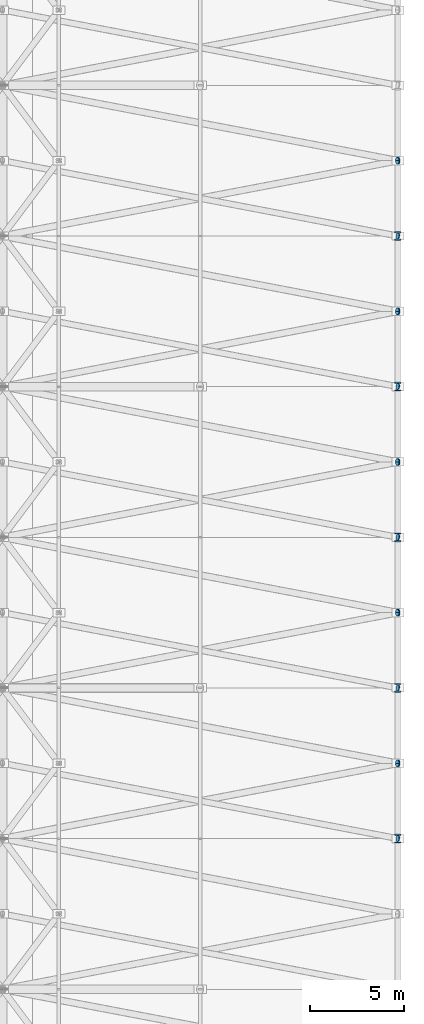
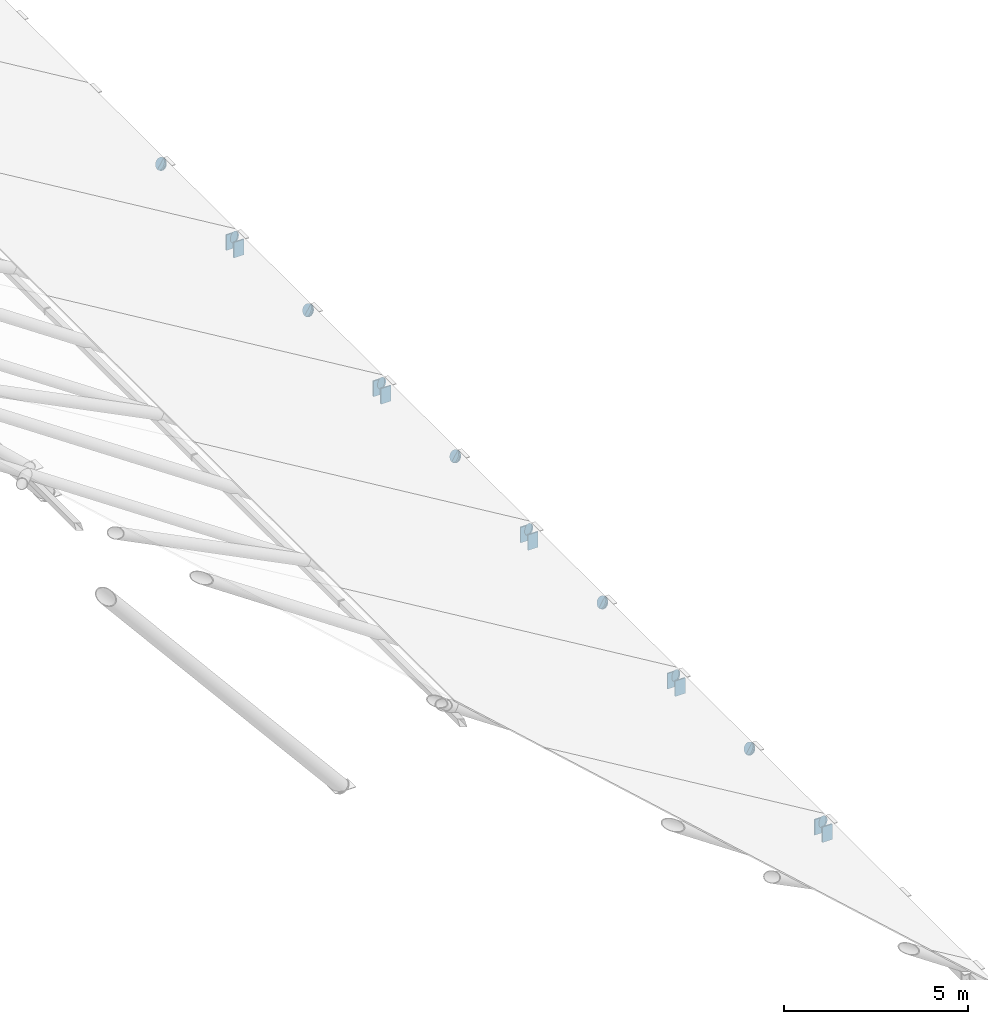
# One storey, part 37 of 44: 25 discrete accessories.
"""IFC4 building model written with IfcOpenShell, lengths in metres."""

import ifcopenshell
import ifcopenshell.guid

model = None  # the IFC model being written
_history = None  # IfcOwnerHistory: only IFC2X3 demands one
_inside = {}  # id of a spatial element -> (the spatial element, [elements in it])
_under = {}  # id of a project, library or spatial element -> (it, [spatial elements below it])
_declared = {}  # id of a project -> (the project, [libraries it declares])
_typed = {}  # id of a type object -> (the type object, [elements of that type])
_made_of = {}  # id of a material, layer set ... -> (it, [elements and type objects made of it])


def new_model(schema):
    """Start an empty IFC model of exactly this schema.

    Asked for "IFC4X3", IfcOpenShell would pick the latest addendum, in which some entities
    have other attributes; the version numbers below select the first issue.
    IFC2X3 requires an IfcOwnerHistory on every rooted entity: one is made here for all.
    """
    global model, _history
    if schema == "IFC4X3":
        model = ifcopenshell.file(schema_version=(4, 3, 0, 0))
    else:
        model = ifcopenshell.file(schema=schema)
    _inside.clear()
    _under.clear()
    _declared.clear()
    _typed.clear()
    _made_of.clear()
    _history = None
    if model.schema == "IFC2X3":
        org = make("IfcOrganization", Name="unknown")
        user = make(
            "IfcPersonAndOrganization",
            ThePerson=make("IfcPerson", FamilyName="unknown"),
            TheOrganization=org,
        )
        app = make(
            "IfcApplication",
            ApplicationDeveloper=org,
            Version="unknown",
            ApplicationFullName="unknown",
            ApplicationIdentifier="unknown",
        )
        _history = make(
            "IfcOwnerHistory",
            OwningUser=user,
            OwningApplication=app,
            ChangeAction="ADDED",
            CreationDate=0,
        )
    return model


def make(cls, **values):
    """One entity of the class cls with the attributes given. An attribute that is None is left unset."""
    return model.create_entity(
        cls, **{name: value for name, value in values.items() if value is not None}
    )


def rooted(cls, **values):
    """An entity with a GlobalId (a new one), such as an element, a storey or a relation."""
    return make(cls, GlobalId=ifcopenshell.guid.new(), OwnerHistory=_history, **values)


def si_unit(unit_type, name, prefix=None):
    """IfcSIUnit, for example si_unit("LENGTHUNIT", "METRE", prefix="MILLI")."""
    return make("IfcSIUnit", UnitType=unit_type, Prefix=prefix, Name=name)


def assignment(units):
    """IfcUnitAssignment: the units of a project."""
    return None if units is None else make("IfcUnitAssignment", Units=units)


def point(xyz):
    """IfcCartesianPoint."""
    return None if xyz is None else make("IfcCartesianPoint", Coordinates=xyz)


def direction(xyz):
    """IfcDirection."""
    return None if xyz is None else make("IfcDirection", DirectionRatios=xyz)


def frame(location, z_axis=None, x_axis=None):
    """IfcAxis2Placement3D, a coordinate frame: its origin and axes. An axis left out is left unset."""
    return make(
        "IfcAxis2Placement3D",
        Location=point(location),
        Axis=direction(z_axis),
        RefDirection=direction(x_axis),
    )


def frame_2d(location, x_axis=None):
    """IfcAxis2Placement2D, a coordinate frame in the plane: its origin and x axis."""
    return make(
        "IfcAxis2Placement2D", Location=point(location), RefDirection=direction(x_axis)
    )


def origin():
    """The frame at (0, 0, 0) with its axes left unset."""
    return frame((0.0, 0.0, 0.0))


def origin_2d():
    """The frame at (0, 0) in the plane with its x axis left unset."""
    return frame_2d((0.0, 0.0))


def place(relative_to, where):
    """IfcLocalPlacement: puts the frame where relative to a parent placement (None: the world)."""
    return make(
        "IfcLocalPlacement", PlacementRelTo=relative_to, RelativePlacement=where
    )


def context(
    kind, dimensions, precision=None, world=None, true_north=None, identifier=None
):
    """IfcGeometricRepresentationContext, for example the 3D "Model" context."""
    return make(
        "IfcGeometricRepresentationContext",
        ContextIdentifier=identifier,
        ContextType=kind,
        CoordinateSpaceDimension=dimensions,
        Precision=precision,
        WorldCoordinateSystem=world,
        TrueNorth=true_north,
    )


def subcontext(parent, identifier, kind, view, scale=None):
    """IfcGeometricRepresentationSubContext, for example "Body" below "Model"."""
    return make(
        "IfcGeometricRepresentationSubContext",
        ContextIdentifier=identifier,
        ContextType=kind,
        ParentContext=parent,
        TargetScale=scale,
        TargetView=view,
    )


def project(units=None, contexts=None):
    """IfcProject with its units and contexts."""
    return rooted(
        "IfcProject",
        Name="project",
        RepresentationContexts=contexts,
        UnitsInContext=assignment(units),
    )


def spatial(cls, under=None, at=None, **own):
    """A site, building, storey or space (cls), placed at a placement, below another one or the project."""
    s = rooted(cls, ObjectPlacement=at, **own)
    if under is not None:
        _under.setdefault(under.id(), (under, []))[1].append(s)
    return s


def profile(cls, at=None, kind="AREA", **sizes):
    """A parametric profile (cls). Its sizes go by their IFC names, for example OverallWidth=200.0."""
    return make(cls, ProfileType=kind, Position=at, **sizes)


def rectangle(**sizes):
    """IfcRectangleProfileDef."""
    return profile("IfcRectangleProfileDef", **sizes)


def circle(**sizes):
    """IfcCircleProfileDef."""
    return profile("IfcCircleProfileDef", **sizes)


def extrude(swept, where, along, depth):
    """IfcExtrudedAreaSolid: the profile swept, set in the frame where, extruded along a direction by depth."""
    return make(
        "IfcExtrudedAreaSolid",
        SweptArea=swept,
        Position=where,
        ExtrudedDirection=direction(along),
        Depth=depth,
    )


def shape(context_of_items, identifier, shape_type, items):
    """IfcShapeRepresentation: the items that make up one representation, for example the "Body"."""
    return make(
        "IfcShapeRepresentation",
        ContextOfItems=context_of_items,
        RepresentationIdentifier=identifier,
        RepresentationType=shape_type,
        Items=items,
    )


def material(Name=None, Category=None):
    """IfcMaterial."""
    return make("IfcMaterial", Name=Name, Category=Category)


def made_of(thing, what):
    """Note that an element or type object is made of a material, layer set ...; save() writes the relation."""
    if what is not None:
        _made_of.setdefault(what.id(), (what, []))[1].append(thing)
    return thing


def element(
    cls,
    number,
    at=None,
    inside=None,
    cuts=None,
    type_object=None,
    material=None,
    context=None,
    identifier="Body",
    shape_type=None,
    held_by="IfcProductDefinitionShape",
    body=None,
    shapes=None,
    **own,
):
    """One element of the class cls, such as IfcWall. Its Tag is "e" and its number.

    at: its placement. inside: the storey or other place that contains it. cuts: it is an
    opening in that element (IfcRelVoidsElement). A single representation is given by context,
    identifier, shape_type and body (its items); several are given by shapes. held_by: the class
    of the entity that holds the representations. save() writes the other relations.
    """
    e = rooted(cls, Tag="e%d" % number, ObjectPlacement=at, **own)
    if body is not None:
        shapes = [shape(context, identifier, shape_type, body)]
    if shapes is not None:
        e.Representation = make(held_by, Representations=shapes)
    if inside is not None:
        _inside.setdefault(inside.id(), (inside, []))[1].append(e)
    if cuts is not None:
        rooted(
            "IfcRelVoidsElement", RelatingBuildingElement=cuts, RelatedOpeningElement=e
        )
    if type_object is not None:
        _typed.setdefault(type_object.id(), (type_object, []))[1].append(e)
    return made_of(e, material)


def aggregate(whole, parts):
    """IfcRelAggregates: a whole, such as a stair, and the parts it consists of."""
    return rooted("IfcRelAggregates", RelatingObject=whole, RelatedObjects=parts)


def save(model, path):
    """Write the relations noted so far, then the file.

    IfcRelAggregates (storeys below a building ...), IfcRelContainedInSpatialStructure (elements
    in a storey), IfcRelDefinesByType, IfcRelAssociatesMaterial and IfcRelDeclares: one each for
    every whole, place, type object, material and project.
    """
    for whole, parts in _under.values():
        aggregate(whole, parts)
    for where, things in _inside.values():
        rooted(
            "IfcRelContainedInSpatialStructure",
            RelatedElements=things,
            RelatingStructure=where,
        )
    for kind, things in _typed.values():
        rooted("IfcRelDefinesByType", RelatedObjects=things, RelatingType=kind)
    for what, things in _made_of.values():
        rooted("IfcRelAssociatesMaterial", RelatedObjects=things, RelatingMaterial=what)
    for by, libraries in _declared.values():
        rooted("IfcRelDeclares", RelatingContext=by, RelatedDefinitions=libraries)
    model.write(path)


model = new_model("IFC4")

# Units and contexts
model_context = context("Model", 3, precision=1e-05, world=origin(), true_north=direction((0.0, 1.0)))
body_context = subcontext(model_context, "Body", "Model", "MODEL_VIEW")
ifc_project = project(units=[si_unit("LENGTHUNIT", "METRE"), si_unit("AREAUNIT", "SQUARE_METRE"), si_unit("VOLUMEUNIT", "CUBIC_METRE"), si_unit("PLANEANGLEUNIT", "RADIAN"), si_unit("MASSUNIT", "GRAM", prefix="KILO")], contexts=[model_context])

# Site, building, storey
site_placement = place(None, origin())
site = spatial("IfcSite", under=ifc_project, at=site_placement, CompositionType="ELEMENT")
building_placement = place(site_placement, origin())
building = spatial("IfcBuilding", under=site, at=building_placement, Name="Marlcrest Central Station", CompositionType="ELEMENT")
storey_placement = place(building_placement, frame((0.0, 0.0, 19.5)))
storey = spatial("IfcBuildingStorey", under=building, at=storey_placement, Name="L04", CompositionType="ELEMENT", Elevation=19.5)

# Discrete accessories
ifc_material = material(Name="Steel S355", Category="steel")
for number, where, z_axis, x_axis, name in (
    (1, (129.0, 62.275146484375, -0.25), (0.0, 1.0, 0.0), (-1.0, 0.0, 0.0), "endcap-bm-SP-03-L04-01266-e"),
    (2, (129.0, 62.68505859375, -0.25), (0.0, 1.0, 0.0), (-1.0, 0.0, 0.0), "endcap-bm-SP-03-L04-01276-s"),
    (3, (129.0, 70.275146484375, -0.25), (0.0, 1.0, 0.0), (-1.0, 0.0, 0.0), "endcap-bm-SP-03-L04-01276-e"),
    (4, (129.0, 70.68505859375, -0.25), (0.0, 1.0, 0.0), (-1.0, 0.0, 0.0), "endcap-bm-SP-03-L04-01280-s"),
    (5, (129.0, 78.275146484375, -0.25), (0.0, 1.0, 0.0), (-1.0, 0.0, 0.0), "endcap-bm-SP-03-L04-01280-e"),
    (6, (129.0, 78.68505859375, -0.25), (0.0, 1.0, 0.0), (-1.0, 0.0, 0.0), "endcap-bm-SP-03-L04-01290-s"),
    (7, (129.0, 86.275146484375, -0.25), (0.0, 1.0, 0.0), (-1.0, 0.0, 0.0), "endcap-bm-SP-03-L04-01290-e"),
    (8, (129.0, 86.68505859375, -0.25), (0.0, 1.0, 0.0), (-1.0, 0.0, 0.0), "endcap-bm-SP-03-L04-01294-s"),
    (9, (129.0, 94.275146484375, -0.25), (0.0, 1.0, 0.0), (-1.0, 0.0, 0.0), "endcap-bm-SP-03-L04-01294-e"),
    (10, (129.0, 94.68505859375, -0.25), (0.0, 1.0, 0.0), (-1.0, 0.0, 0.0), "endcap-bm-SP-03-L04-01304-s"),
):
    element("IfcDiscreteAccessory", number, at=place(storey_placement, frame(where, z_axis=z_axis, x_axis=x_axis)), inside=storey, material=ifc_material, Name=name, ObjectType="END_CAP_PLATE", PredefinedType="BRACKET", context=body_context, shape_type="SweptSolid", body=[
        extrude(rectangle(XDim=0.31591796875, YDim=0.51611328125, at=origin_2d()), origin(), (0.0, 0.0, 1.0), 0.0400390625),
    ])
for number, where, z_axis, x_axis, name in (
    (11, (128.978759765625, 66.495849609375, 0.0126953125), (0.846277296716, 0.161195675565, -0.507770313471), (-0.18711210789, 0.982338566422, 0.0), "endcap-mem-FB-01-L04-02466-e"),
    (12, (128.978759765625, 66.504150390625, 0.0126953125), (0.846277296716, -0.161195675565, -0.507770313471), (0.18711210789, 0.982338566422, 0.0), "endcap-mem-FB-01-L04-02467-e"),
):
    element("IfcDiscreteAccessory", number, at=place(storey_placement, frame(where, z_axis=z_axis, x_axis=x_axis)), inside=storey, material=ifc_material, Name=name, ObjectType="END_CAP_PLATE", PredefinedType="BRACKET", context=body_context, shape_type="SweptSolid", body=[
        extrude(circle(Radius=0.185791015625, at=origin_2d()), origin(), (0.0, 0.0, 1.0), 0.0400390625),
    ])
discrete_accessory_1_placement = place(storey_placement, frame((128.978759765625, 62.504150390625, 0.0126953125), z_axis=(0.846277296716, -0.161195675565, -0.507770313471), x_axis=(0.18711210789, 0.982338566422, 0.0)))
element("IfcDiscreteAccessory", 13, at=discrete_accessory_1_placement, inside=storey, material=ifc_material, Name="endcap-mem-FB-02-L04-02468-e", ObjectType="END_CAP_PLATE", PredefinedType="BRACKET", context=body_context, shape_type="SweptSolid", body=[
    extrude(circle(Radius=0.169921875, at=origin_2d()), origin(), (0.0, 0.0, 1.0), 0.0400390625),
])
for number, where, z_axis, x_axis, name in (
    (14, (128.978759765625, 74.495849609375, 0.0126953125), (0.846277296716, 0.161195675565, -0.507770313471), (-0.18711210789, 0.982338566422, 0.0), "endcap-mem-FB-01-L04-02481-e"),
    (15, (128.978759765625, 74.504150390625, 0.0126953125), (0.846277296716, -0.161195675565, -0.507770313471), (0.18711210789, 0.982338566422, 0.0), "endcap-mem-FB-01-L04-02482-e"),
):
    element("IfcDiscreteAccessory", number, at=place(storey_placement, frame(where, z_axis=z_axis, x_axis=x_axis)), inside=storey, material=ifc_material, Name=name, ObjectType="END_CAP_PLATE", PredefinedType="BRACKET", context=body_context, shape_type="SweptSolid", body=[
        extrude(circle(Radius=0.185791015625, at=origin_2d()), origin(), (0.0, 0.0, 1.0), 0.0400390625),
    ])
discrete_accessory_2_placement = place(storey_placement, frame((128.978759765625, 70.504150390625, 0.0126953125), z_axis=(0.846277296716, -0.161195675565, -0.507770313471), x_axis=(0.18711210789, 0.982338566422, 0.0)))
element("IfcDiscreteAccessory", 16, at=discrete_accessory_2_placement, inside=storey, material=ifc_material, Name="endcap-mem-FB-02-L04-02483-e", ObjectType="END_CAP_PLATE", PredefinedType="BRACKET", context=body_context, shape_type="SweptSolid", body=[
    extrude(circle(Radius=0.169921875, at=origin_2d()), origin(), (0.0, 0.0, 1.0), 0.0400390625),
])
for number, where, z_axis, x_axis, name in (
    (17, (128.978759765625, 82.495849609375, 0.0126953125), (0.846277296716, 0.161195675565, -0.507770313471), (-0.18711210789, 0.982338566422, 0.0), "endcap-mem-FB-01-L04-02496-e"),
    (18, (128.978759765625, 82.504150390625, 0.0126953125), (0.846277296716, -0.161195675565, -0.507770313471), (0.18711210789, 0.982338566422, 0.0), "endcap-mem-FB-01-L04-02497-e"),
):
    element("IfcDiscreteAccessory", number, at=place(storey_placement, frame(where, z_axis=z_axis, x_axis=x_axis)), inside=storey, material=ifc_material, Name=name, ObjectType="END_CAP_PLATE", PredefinedType="BRACKET", context=body_context, shape_type="SweptSolid", body=[
        extrude(circle(Radius=0.185791015625, at=origin_2d()), origin(), (0.0, 0.0, 1.0), 0.0400390625),
    ])
discrete_accessory_3_placement = place(storey_placement, frame((128.978759765625, 78.504150390625, 0.0126953125), z_axis=(0.846277296716, -0.161195675565, -0.507770313471), x_axis=(0.18711210789, 0.982338566422, 0.0)))
element("IfcDiscreteAccessory", 19, at=discrete_accessory_3_placement, inside=storey, material=ifc_material, Name="endcap-mem-FB-02-L04-02498-e", ObjectType="END_CAP_PLATE", PredefinedType="BRACKET", context=body_context, shape_type="SweptSolid", body=[
    extrude(circle(Radius=0.169921875, at=origin_2d()), origin(), (0.0, 0.0, 1.0), 0.0400390625),
])
for number, where, z_axis, x_axis, name in (
    (20, (128.978759765625, 90.495849609375, 0.0126953125), (0.846277296716, 0.161195675565, -0.507770313471), (-0.18711210789, 0.982338566422, 0.0), "endcap-mem-FB-01-L04-02511-e"),
    (21, (128.978759765625, 90.504150390625, 0.0126953125), (0.846277296716, -0.161195675565, -0.507770313471), (0.18711210789, 0.982338566422, 0.0), "endcap-mem-FB-01-L04-02512-e"),
):
    element("IfcDiscreteAccessory", number, at=place(storey_placement, frame(where, z_axis=z_axis, x_axis=x_axis)), inside=storey, material=ifc_material, Name=name, ObjectType="END_CAP_PLATE", PredefinedType="BRACKET", context=body_context, shape_type="SweptSolid", body=[
        extrude(circle(Radius=0.185791015625, at=origin_2d()), origin(), (0.0, 0.0, 1.0), 0.0400390625),
    ])
discrete_accessory_4_placement = place(storey_placement, frame((128.978759765625, 86.504150390625, 0.0126953125), z_axis=(0.846277296716, -0.161195675565, -0.507770313471), x_axis=(0.18711210789, 0.982338566422, 0.0)))
element("IfcDiscreteAccessory", 22, at=discrete_accessory_4_placement, inside=storey, material=ifc_material, Name="endcap-mem-FB-02-L04-02513-e", ObjectType="END_CAP_PLATE", PredefinedType="BRACKET", context=body_context, shape_type="SweptSolid", body=[
    extrude(circle(Radius=0.169921875, at=origin_2d()), origin(), (0.0, 0.0, 1.0), 0.0400390625),
])
for number, where, z_axis, x_axis, name in (
    (23, (128.978759765625, 98.495849609375, 0.0126953125), (0.846277296716, 0.161195675565, -0.507770313471), (-0.18711210789, 0.982338566422, 0.0), "endcap-mem-FB-01-L04-02526-e"),
    (24, (128.978759765625, 98.504150390625, 0.0126953125), (0.846277296716, -0.161195675565, -0.507770313471), (0.18711210789, 0.982338566422, 0.0), "endcap-mem-FB-01-L04-02527-e"),
):
    element("IfcDiscreteAccessory", number, at=place(storey_placement, frame(where, z_axis=z_axis, x_axis=x_axis)), inside=storey, material=ifc_material, Name=name, ObjectType="END_CAP_PLATE", PredefinedType="BRACKET", context=body_context, shape_type="SweptSolid", body=[
        extrude(circle(Radius=0.185791015625, at=origin_2d()), origin(), (0.0, 0.0, 1.0), 0.0400390625),
    ])
discrete_accessory_5_placement = place(storey_placement, frame((128.978759765625, 94.504150390625, 0.0126953125), z_axis=(0.846277296716, -0.161195675565, -0.507770313471), x_axis=(0.18711210789, 0.982338566422, 0.0)))
element("IfcDiscreteAccessory", 25, at=discrete_accessory_5_placement, inside=storey, material=ifc_material, Name="endcap-mem-FB-02-L04-02528-e", ObjectType="END_CAP_PLATE", PredefinedType="BRACKET", context=body_context, shape_type="SweptSolid", body=[
    extrude(circle(Radius=0.169921875, at=origin_2d()), origin(), (0.0, 0.0, 1.0), 0.0400390625),
])

save(model, "model.ifc")
